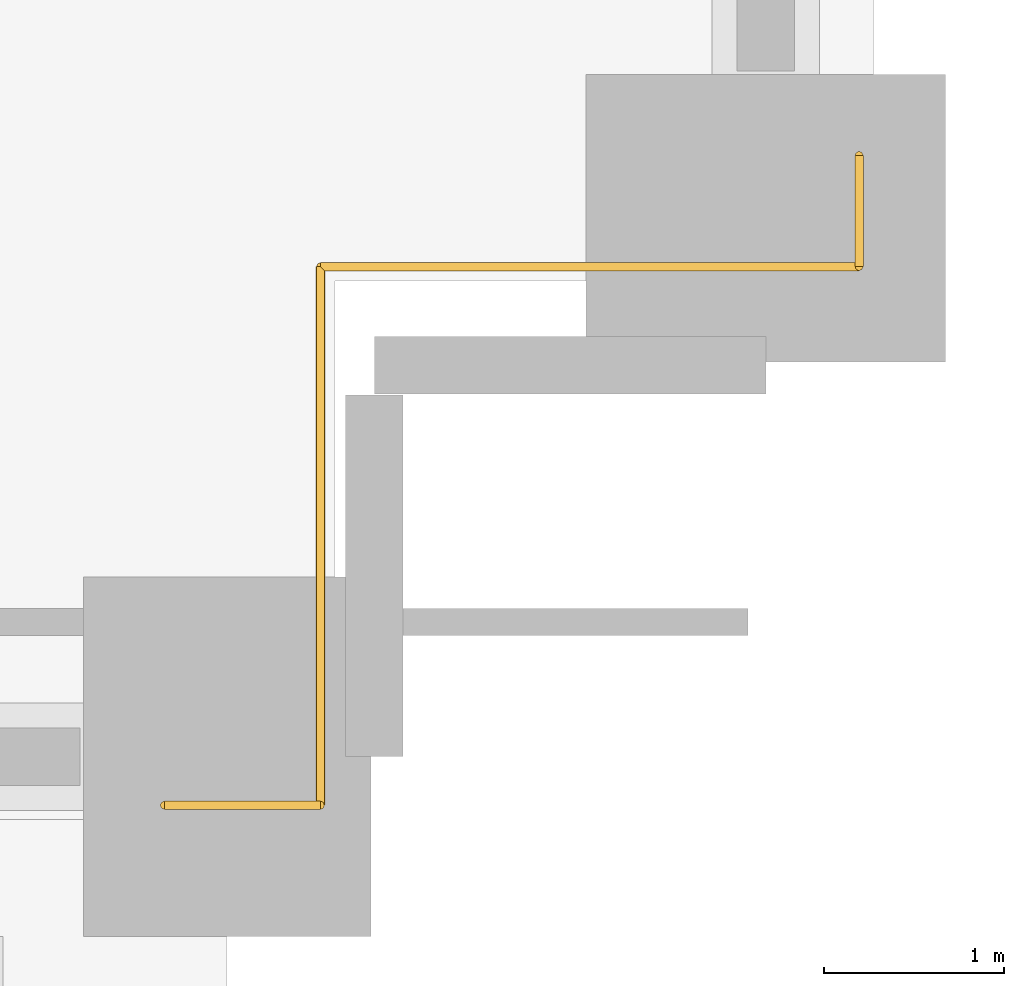
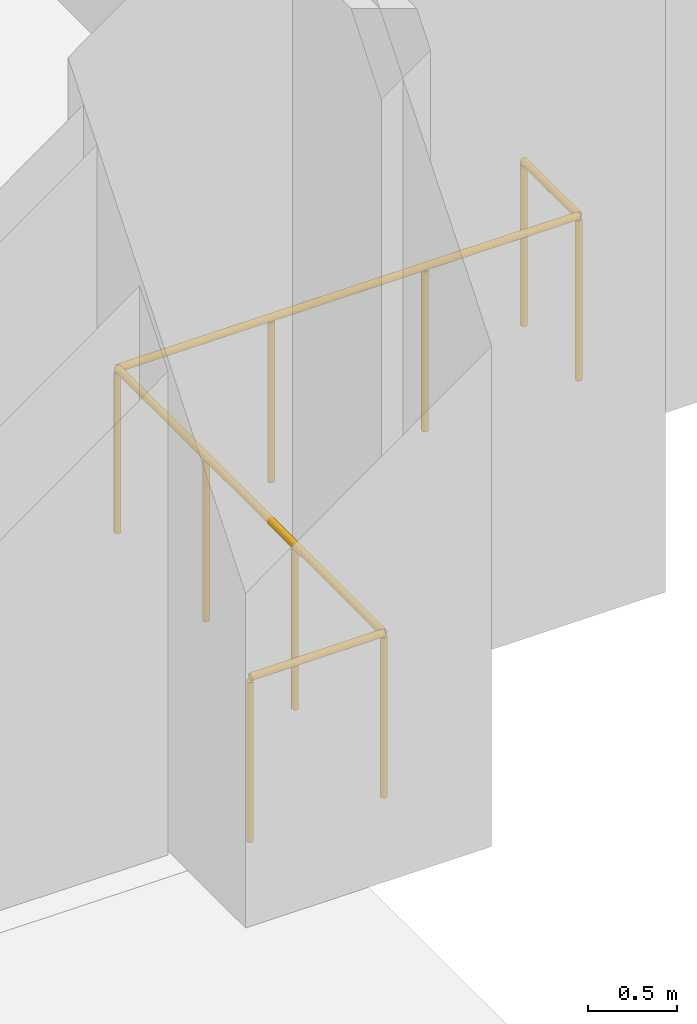
# One storey, part 12 of 14: 4 railings.
"""IFC4 building model written with IfcOpenShell, lengths in metres."""

from ifc_helpers import new_model, si_unit, direction, frame, origin, origin_2d, place, context, subcontext, project, spatial, circle, extrude, material, type_object, element, save


model = new_model("IFC4")

# Units and contexts
model_context = context("Model", 3, precision=1e-05, world=origin(), true_north=direction((0.0, 1.0)))
body_context = subcontext(model_context, "Body", "Model", "MODEL_VIEW")
ifc_project = project(units=[si_unit("LENGTHUNIT", "METRE"), si_unit("AREAUNIT", "SQUARE_METRE"), si_unit("VOLUMEUNIT", "CUBIC_METRE"), si_unit("PLANEANGLEUNIT", "RADIAN"), si_unit("MASSUNIT", "GRAM", prefix="KILO")], contexts=[model_context])

# Site, building, storey
site_placement = place(None, origin())
site = spatial("IfcSite", under=ifc_project, at=site_placement, CompositionType="ELEMENT")
building_placement = place(site_placement, origin())
building = spatial("IfcBuilding", under=site, at=building_placement, Name="Sulina Concourse Tower", CompositionType="ELEMENT")
storey_placement = place(building_placement, origin())
storey = spatial("IfcBuildingStorey", under=building, at=storey_placement, Name="L00", CompositionType="ELEMENT", Elevation=0.0)

# Railings
ifc_material = material(Name="Galvanised steel railing", Category="steel")
railing_type = type_object("IfcRailingType", Name="Core Stair Steel Guardrail 1150mm", PredefinedType="GUARDRAIL", material=ifc_material)
railing_1_placement = place(storey_placement, frame((57.919921875, 3.949951171875, 0.0)))
element("IfcRailing", 1, at=railing_1_placement, inside=storey, type_object=railing_type, Name="L00 perimeter edge safety guardrail SE1", PredefinedType="GUARDRAIL", context=body_context, shape_type="SweptSolid", body=[
    extrude(circle(Radius=0.02392578125, at=origin_2d()), frame((0.0, 0.0, 1.1259765625), z_axis=(0.0, -1.0, 0.0), x_axis=(1.0, 0.0, 0.0)), (0.0, 0.0, 1.0), 0.619873046875),
    extrude(circle(Radius=0.02099609375, at=origin_2d()), origin(), (0.0, 0.0, 1.0), 1.101806640625),
    extrude(circle(Radius=0.02099609375, at=origin_2d()), frame((0.0, -0.619873046875, 0.0)), (0.0, 0.0, 1.0), 1.101806640625),
])
railing_2_placement = place(storey_placement, frame((57.919921875, 3.330078125, 0.0)))
element("IfcRailing", 2, at=railing_2_placement, inside=storey, type_object=railing_type, Name="L00 perimeter edge safety guardrail SE2", PredefinedType="GUARDRAIL", context=body_context, shape_type="SweptSolid", body=[
    extrude(circle(Radius=0.02392578125, at=origin_2d()), frame((0.0, 0.0, 1.1259765625), z_axis=(-1.0, 0.0, 0.0), x_axis=(0.0, -1.0, 0.0)), (0.0, 0.0, 1.0), 3.0),
    extrude(circle(Radius=0.02099609375, at=origin_2d()), origin(), (0.0, 0.0, 1.0), 1.101806640625),
    extrude(circle(Radius=0.02099609375, at=origin_2d()), frame((-1.0, 0.0, 0.0)), (0.0, 0.0, 1.0), 1.101806640625),
    extrude(circle(Radius=0.02099609375, at=origin_2d()), frame((-2.0, 0.0, 0.0)), (0.0, 0.0, 1.0), 1.101806640625),
    extrude(circle(Radius=0.02099609375, at=origin_2d()), frame((-3.0, 0.0, 0.0)), (0.0, 0.0, 1.0), 1.101806640625),
])
railing_3_placement = place(storey_placement, frame((54.919921875, 3.330078125, 0.0)))
element("IfcRailing", 3, at=railing_3_placement, inside=storey, type_object=railing_type, Name="L00 perimeter edge safety guardrail SE3", PredefinedType="GUARDRAIL", context=body_context, shape_type="SweptSolid", body=[
    extrude(circle(Radius=0.02392578125, at=origin_2d()), frame((0.0, 0.0, 1.1259765625), z_axis=(0.0, -1.0, 0.0), x_axis=(1.0, 0.0, 0.0)), (0.0, 0.0, 1.0), 3.0),
    extrude(circle(Radius=0.02099609375, at=origin_2d()), origin(), (0.0, 0.0, 1.0), 1.101806640625),
    extrude(circle(Radius=0.02099609375, at=origin_2d()), frame((0.0, -1.0, 0.0)), (0.0, 0.0, 1.0), 1.101806640625),
    extrude(circle(Radius=0.02099609375, at=origin_2d()), frame((0.0, -2.0, 0.0)), (0.0, 0.0, 1.0), 1.101806640625),
    extrude(circle(Radius=0.02099609375, at=origin_2d()), frame((0.0, -3.0, 0.0)), (0.0, 0.0, 1.0), 1.101806640625),
])
railing_4_placement = place(storey_placement, frame((54.919921875, 0.330078125, 0.0)))
element("IfcRailing", 4, at=railing_4_placement, inside=storey, type_object=railing_type, Name="L00 perimeter edge safety guardrail SE4", PredefinedType="GUARDRAIL", context=body_context, shape_type="SweptSolid", body=[
    extrude(circle(Radius=0.02392578125, at=origin_2d()), frame((0.0, 0.0, 1.1259765625), z_axis=(-1.0, 0.0, 0.0), x_axis=(0.0, -1.0, 0.0)), (0.0, 0.0, 1.0), 0.869873046875),
    extrude(circle(Radius=0.02099609375, at=origin_2d()), origin(), (0.0, 0.0, 1.0), 1.101806640625),
    extrude(circle(Radius=0.02099609375, at=origin_2d()), frame((-0.869873046875, 0.0, 0.0)), (0.0, 0.0, 1.0), 1.101806640625),
])

save(model, "model.ifc")
